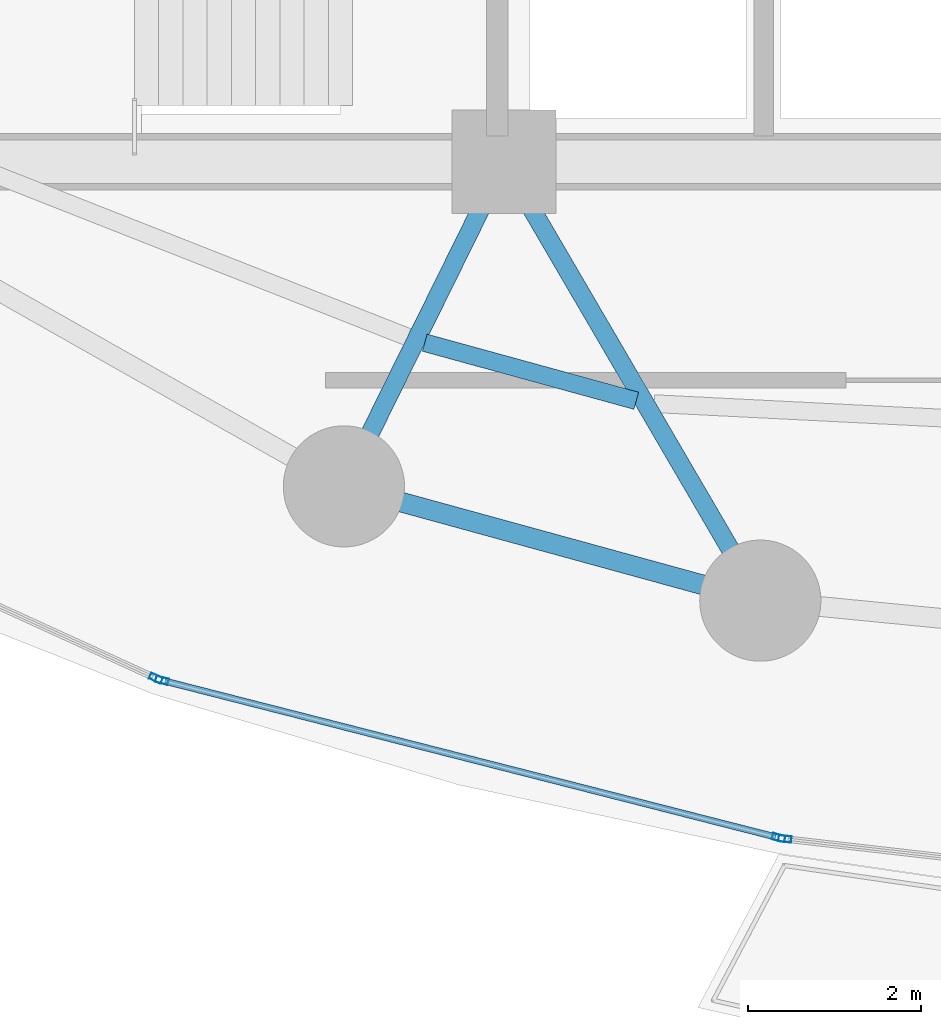
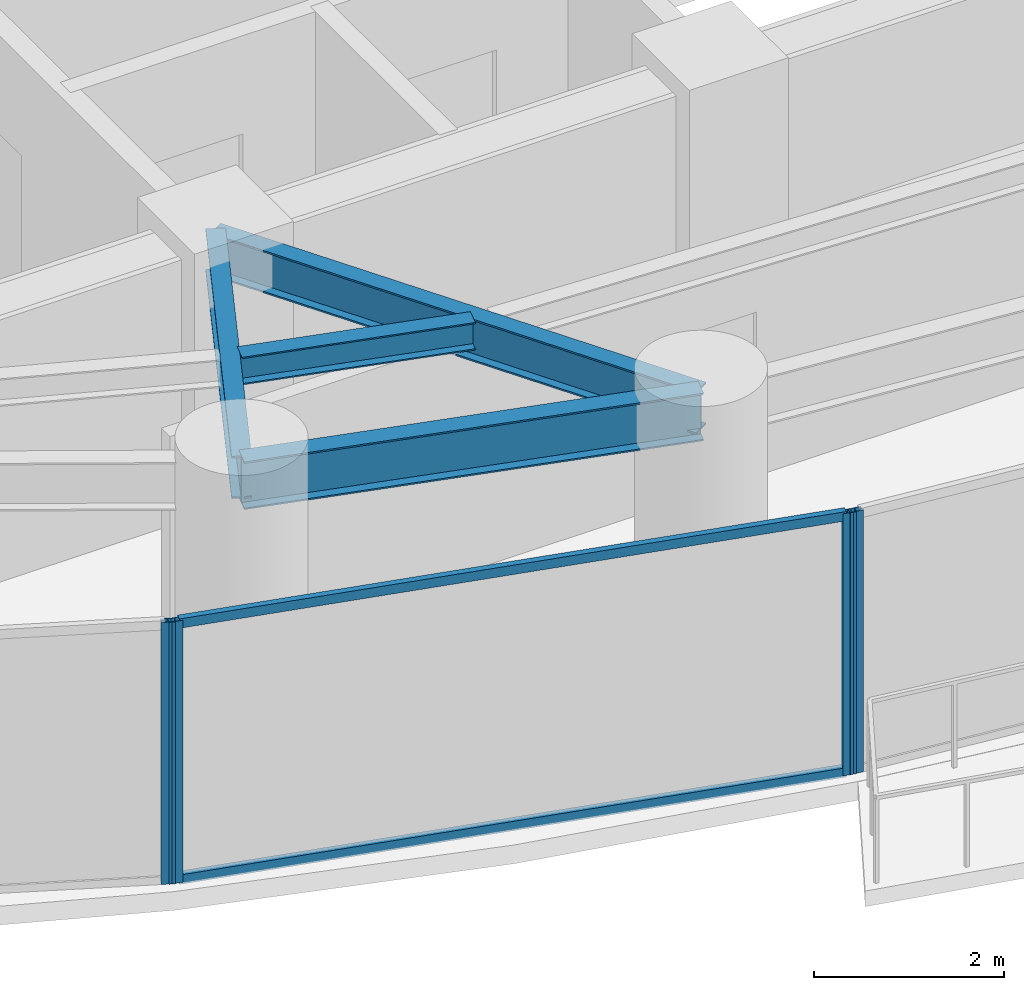
# One storey, part 5 of 31: 6 members, 4 beams, 3 elements without a shape of their own.
"""IFC4 building model written with IfcOpenShell, lengths in metres."""

from ifc_helpers import new_model, si_unit, direction, frame, origin, origin_2d, place, context, subcontext, project, spatial, hollow_rectangle, i_section, extrude, material, layer, layer_set, material_profile, profile_set, type_object, element, aggregate, save


model = new_model("IFC4")

# Units and contexts
model_context = context("Model", 3, precision=1e-05, world=origin(), true_north=direction((0.0, 1.0)))
body_context = subcontext(model_context, "Body", "Model", "MODEL_VIEW")
ifc_project = project(units=[si_unit("LENGTHUNIT", "METRE"), si_unit("AREAUNIT", "SQUARE_METRE"), si_unit("VOLUMEUNIT", "CUBIC_METRE"), si_unit("PLANEANGLEUNIT", "RADIAN"), si_unit("MASSUNIT", "GRAM", prefix="KILO")], contexts=[model_context])

# Site, building, storey
site_placement = place(None, origin())
site = spatial("IfcSite", under=ifc_project, at=site_placement, CompositionType="ELEMENT")
building_placement = place(site_placement, origin())
building = spatial("IfcBuilding", under=site, at=building_placement, Name="Kazevale Care Tower and Concert Hall", CompositionType="ELEMENT")
storey_placement = place(building_placement, frame((0.0, 0.0, 63.60009765625)))
storey = spatial("IfcBuildingStorey", under=building, at=storey_placement, Name="L16", CompositionType="ELEMENT", Elevation=63.60009765625)

# Curtain wall, member
ifc_material_1 = material(Name="Aluminium 6063-T6 and Low-E Glass", Category="aluminium")
ifc_layer = layer(ifc_material_1, 0.179931640625)
ifc_layer_set = layer_set([ifc_layer], Name="Aluminium 6063-T6 and Low-E Glass")
curtain_wall_type = type_object("IfcCurtainWallType", Name="Sheltered Concave Balcony Curtain Wall CW-5", PredefinedType="NOTDEFINED", material=ifc_layer_set)
curtain_wall_1_placement = place(storey_placement, origin())
curtain_wall_1 = element("IfcCurtainWall", 1, at=curtain_wall_1_placement, inside=storey, type_object=curtain_wall_type, Name="cw:L16:f07", PredefinedType="NOTDEFINED")
ifc_material_2 = material(Name="Aluminium 6063-T6", Category="aluminium")
ifc_material_profile_1 = material_profile(ifc_material_2, hollow_rectangle(XDim=0.074951171875, YDim=0.14990234375, WallThickness=0.00390625, at=origin_2d()), Name="ALU75x150x4")
ifc_profile_set_1 = profile_set([ifc_material_profile_1], Name="Aluminium 6063-T6")
member_type_1 = type_object("IfcMemberType", Name="CW-5 Mullion ALU75x150x4", PredefinedType="MULLION", material=ifc_profile_set_1)
member_1_placement = place(storey_placement, frame((33.245361328125, 15.77783203125, 0.0), z_axis=(0.0, 0.0, 1.0), x_axis=(-0.113704773808, -0.993514581883, 0.0)))
member_1 = element("IfcMember", 2, at=member_1_placement, type_object=member_type_1, Name="CW-5 mullion 2", PredefinedType="MULLION", context=body_context, shape_type="SweptSolid", body=[
    extrude(hollow_rectangle(XDim=0.074951171875, YDim=0.14990234375, WallThickness=0.00390625, at=origin_2d()), origin(), (0.0, 0.0, 1.0), 3.35986328125),
])
aggregate(curtain_wall_1, [member_1])

# Curtain wall, members
curtain_wall_2_placement = place(storey_placement, origin())
curtain_wall_2 = element("IfcCurtainWall", 3, at=curtain_wall_2_placement, inside=storey, type_object=curtain_wall_type, Name="cw:L16:f08", PredefinedType="NOTDEFINED")
member_2_placement = place(storey_placement, frame((33.171630859375, 15.791259765625, 0.0), z_axis=(0.0, 0.0, 1.0), x_axis=(-0.247221864936, -0.968958899798, 0.0)))
member_2 = element("IfcMember", 4, at=member_2_placement, type_object=member_type_1, Name="CW-5 mullion 1", PredefinedType="MULLION", context=body_context, shape_type="SweptSolid", body=[
    extrude(hollow_rectangle(XDim=0.074951171875, YDim=0.14990234375, WallThickness=0.00390625, at=origin_2d()), origin(), (0.0, 0.0, 1.0), 3.35986328125),
])
member_3_placement = place(storey_placement, frame((26.04833984375, 17.608642578125, 0.0), z_axis=(0.0, 0.0, 1.0), x_axis=(-0.247221864936, -0.968958899798, 0.0)))
member_3 = element("IfcMember", 5, at=member_3_placement, type_object=member_type_1, Name="CW-5 mullion 2", PredefinedType="MULLION", context=body_context, shape_type="SweptSolid", body=[
    extrude(hollow_rectangle(XDim=0.074951171875, YDim=0.14990234375, WallThickness=0.00390625, at=origin_2d()), origin(), (0.0, 0.0, 1.0), 3.35986328125),
])

# Curtain wall, member
curtain_wall_3_placement = place(storey_placement, origin())
curtain_wall_3 = element("IfcCurtainWall", 6, at=curtain_wall_3_placement, inside=storey, type_object=curtain_wall_type, Name="cw:L16:f09", PredefinedType="NOTDEFINED")
member_4_placement = place(storey_placement, frame((25.977783203125, 17.633544921875, 0.0), z_axis=(0.0, 0.0, 1.0), x_axis=(-0.415659767773, -0.909520179795, 0.0)))
member_4 = element("IfcMember", 7, at=member_4_placement, type_object=member_type_1, Name="CW-5 mullion 1", PredefinedType="MULLION", context=body_context, shape_type="SweptSolid", body=[
    extrude(hollow_rectangle(XDim=0.074951171875, YDim=0.14990234375, WallThickness=0.00390625, at=origin_2d()), origin(), (0.0, 0.0, 1.0), 3.35986328125),
])
aggregate(curtain_wall_3, [member_4])

# Member
ifc_material_profile_2 = material_profile(ifc_material_2, hollow_rectangle(XDim=0.074951171875, YDim=0.1201171875, WallThickness=0.00390625, at=origin_2d()), Name="ALU75x120x4")
ifc_profile_set_2 = profile_set([ifc_material_profile_2], Name="Aluminium 6063-T6")
member_type_2 = type_object("IfcMemberType", Name="CW-5 Transom ALU75x120x4", PredefinedType="USERDEFINED", material=ifc_profile_set_2)
member_5_placement = place(storey_placement, frame((33.13525390625, 15.800537109375, 0.037353515625), z_axis=(-0.968960816419, 0.24721435283, 0.0), x_axis=(-0.24721435283, -0.968960816419, 0.0)))
member_5 = element("IfcMember", 8, at=member_5_placement, type_object=member_type_2, Name="CW-5 transom 1.1", ObjectType="TRANSOM", PredefinedType="USERDEFINED", context=body_context, shape_type="SweptSolid", body=[
    extrude(hollow_rectangle(XDim=0.074951171875, YDim=0.1201171875, WallThickness=0.00390625, at=origin_2d()), origin(), (0.0, 0.0, 1.0), 7.2763671875),
])

member_6_placement = place(storey_placement, frame((33.13525390625, 15.800537109375, 3.322509765625), z_axis=(-0.968960816419, 0.24721435283, 0.0), x_axis=(-0.24721435283, -0.968960816419, 0.0)))
member_6 = element("IfcMember", 9, at=member_6_placement, type_object=member_type_2, Name="CW-5 transom 1.2", ObjectType="TRANSOM", PredefinedType="USERDEFINED", context=body_context, shape_type="SweptSolid", body=[
    extrude(hollow_rectangle(XDim=0.074951171875, YDim=0.1201171875, WallThickness=0.00390625, at=origin_2d()), origin(), (0.0, 0.0, 1.0), 7.2763671875),
])

aggregate(curtain_wall_2, [member_2, member_3, member_5, member_6])

# Beams
ifc_material_3 = material(Name="Steel ASTM A572 Gr 50", Category="steel")
ifc_material_profile_3 = material_profile(ifc_material_3, i_section(OverallWidth=0.2119140625, OverallDepth=0.5439453125, WebThickness=0.01318359375, FlangeThickness=0.021240234375, at=origin_2d()), Name="W530x123")
ifc_profile_set_3 = profile_set([ifc_material_profile_3], Name="Steel ASTM A572 Gr 50")
beam_type_1 = type_object("IfcBeamType", Name="Radial Floor Girder W530x123", PredefinedType="BEAM", material=ifc_profile_set_3)
beam_1_placement = place(storey_placement, frame((30.0, 23.60009765625, 3.087890625), z_axis=(-0.442443019162, -0.896796618412, 0.0), x_axis=(0.896796618412, -0.442443019162, 0.0)))
element("IfcBeam", 10, at=beam_1_placement, inside=storey, type_object=beam_type_1, Name="beam:L16:rad:11", PredefinedType="BEAM", context=body_context, shape_type="SweptSolid", body=[
    extrude(i_section(OverallWidth=0.2119140625, OverallDepth=0.5439453125, WebThickness=0.01318359375, FlangeThickness=0.021240234375, at=origin_2d()), origin(), (0.0, 0.0, 1.0), 4.181640625),
])
beam_2_placement = place(storey_placement, frame((30.0, 23.60009765625, 3.087890625), z_axis=(0.50417868077, -0.86359936189, 0.0), x_axis=(0.86359936189, 0.50417868077, 0.0)))
element("IfcBeam", 11, at=beam_2_placement, inside=storey, type_object=beam_type_1, Name="beam:L16:rad:12", PredefinedType="BEAM", context=body_context, shape_type="SweptSolid", body=[
    extrude(i_section(OverallWidth=0.2119140625, OverallDepth=0.5439453125, WebThickness=0.01318359375, FlangeThickness=0.021240234375, at=origin_2d()), origin(), (0.0, 0.0, 1.0), 5.870849609375),
])
ifc_material_profile_4 = material_profile(ifc_material_3, i_section(OverallWidth=0.22900390625, OverallDepth=0.612060546875, WebThickness=0.011962890625, FlangeThickness=0.01953125, at=origin_2d()), Name="W610x125")
ifc_profile_set_4 = profile_set([ifc_material_profile_4], Name="Steel ASTM A572 Gr 50")
beam_type_2 = type_object("IfcBeamType", Name="Ring Spandrel Beam W610x125", PredefinedType="SPANDREL", material=ifc_profile_set_4)
beam_3_placement = place(storey_placement, frame((28.14990234375, 19.85009765625, 3.053955078125), z_axis=(0.964343540473, -0.264653615031, 0.0), x_axis=(0.264653615031, 0.964343540473, 0.0)))
element("IfcBeam", 12, at=beam_3_placement, inside=storey, type_object=beam_type_2, Name="beam:L16:ring:11", PredefinedType="SPANDREL", context=body_context, shape_type="SweptSolid", body=[
    extrude(i_section(OverallWidth=0.22900390625, OverallDepth=0.612060546875, WebThickness=0.011962890625, FlangeThickness=0.01953125, at=origin_2d()), origin(), (0.0, 0.0, 1.0), 4.98779296875),
])
ifc_material_profile_5 = material_profile(ifc_material_3, i_section(OverallWidth=0.205078125, OverallDepth=0.35400390625, WebThickness=0.009521484375, FlangeThickness=0.016845703125, at=origin_2d()), Name="W360x79")
ifc_profile_set_5 = profile_set([ifc_material_profile_5], Name="Steel ASTM A572 Gr 50")
beam_type_3 = type_object("IfcBeamType", Name="Secondary Floor Joist W360x79", PredefinedType="JOIST", material=ifc_profile_set_5)
beam_4_placement = place(storey_placement, frame((29.083984375, 21.510009765625, 3.182861328125), z_axis=(0.964302027389, -0.264804833743, 0.0), x_axis=(0.264804833743, 0.964302027389, 0.0)))
element("IfcBeam", 13, at=beam_4_placement, inside=storey, type_object=beam_type_3, Name="beam:L16:joist:11", PredefinedType="JOIST", context=body_context, shape_type="SweptSolid", body=[
    extrude(i_section(OverallWidth=0.205078125, OverallDepth=0.35400390625, WebThickness=0.009521484375, FlangeThickness=0.016845703125, at=origin_2d()), origin(), (0.0, 0.0, 1.0), 2.533447265625),
])

save(model, "model.ifc")
